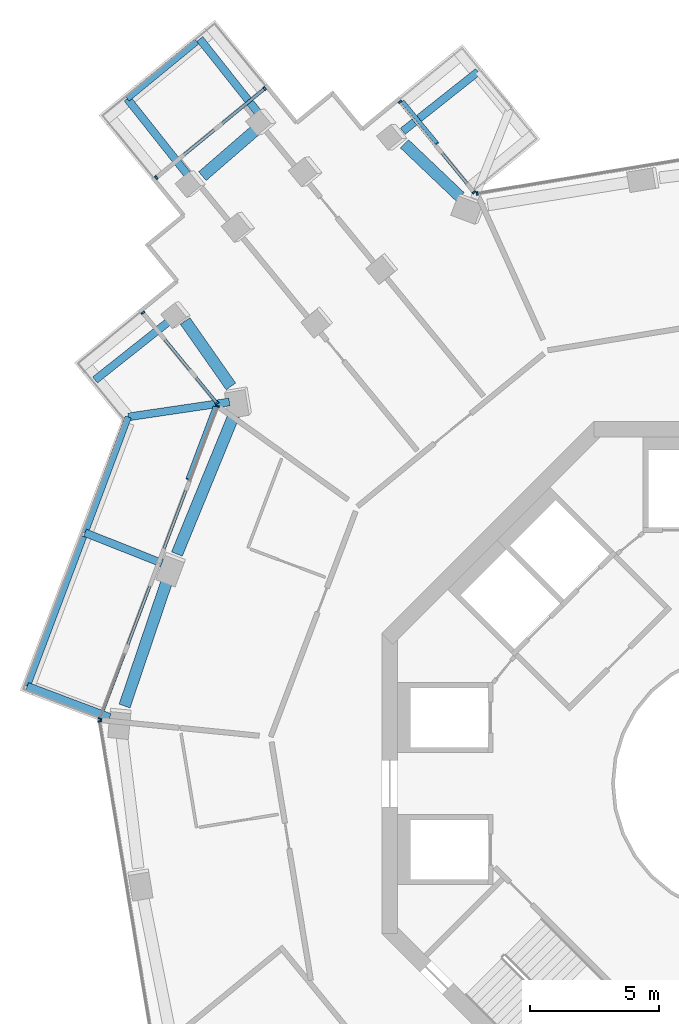
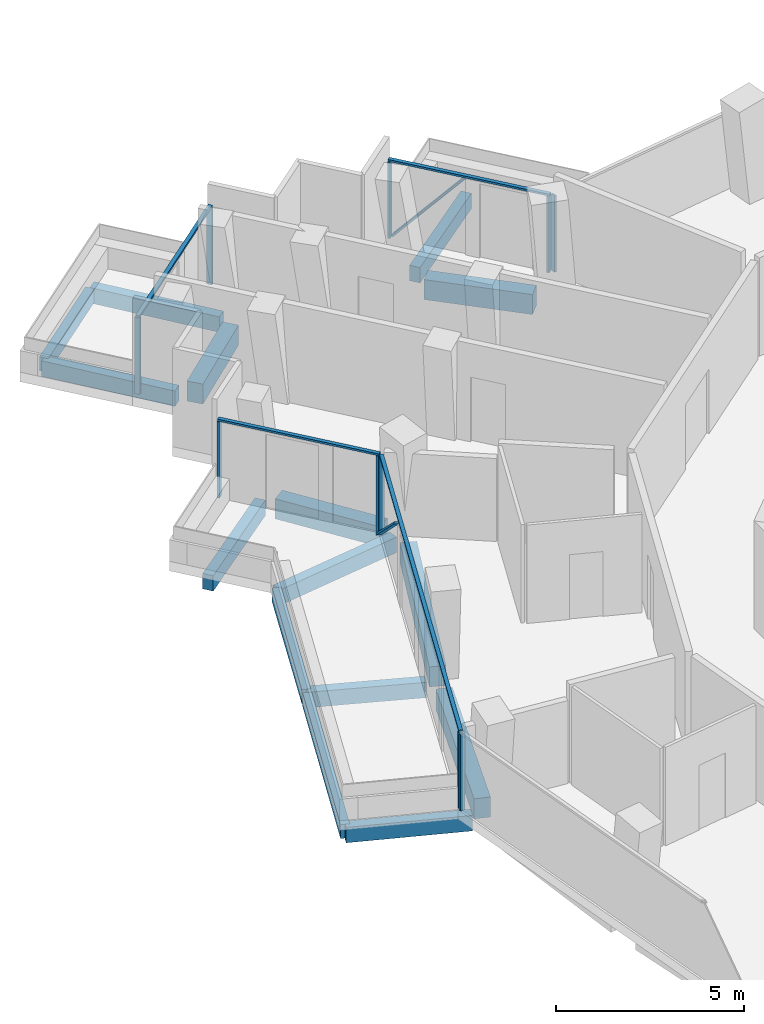
# One storey, part 6 of 21: 16 members, 15 beams, 6 elements without a shape of their own.
"""IFC4 building model written with IfcOpenShell, lengths in metres."""

from ifc_helpers import new_model, si_unit, direction, frame, origin, origin_2d, place, context, subcontext, project, spatial, rectangle, extrude, material, layer, layer_set, material_profile, profile_set, type_object, element, aggregate, save


model = new_model("IFC4")

# Units and contexts
model_context = context("Model", 3, precision=1e-05, world=origin(), true_north=direction((0.0, 1.0)))
body_context = subcontext(model_context, "Body", "Model", "MODEL_VIEW")
ifc_project = project(units=[si_unit("LENGTHUNIT", "METRE"), si_unit("AREAUNIT", "SQUARE_METRE"), si_unit("VOLUMEUNIT", "CUBIC_METRE"), si_unit("PLANEANGLEUNIT", "RADIAN"), si_unit("MASSUNIT", "GRAM", prefix="KILO")], contexts=[model_context])

# Site, building, storey
site_placement = place(None, origin())
site = spatial("IfcSite", under=ifc_project, at=site_placement, CompositionType="ELEMENT")
building_placement = place(site_placement, origin())
building = spatial("IfcBuilding", under=site, at=building_placement, Name="Verdalira Terraces Hotel", CompositionType="ELEMENT")
storey_placement = place(building_placement, frame((0.0, 0.0, 194.0)))
storey = spatial("IfcBuildingStorey", under=building, at=storey_placement, Name="L47", CompositionType="ELEMENT", Elevation=194.0)

# Beams
ifc_material_1 = material(Name="Concrete C40", Category="concrete")
ifc_material_profile_1 = material_profile(ifc_material_1, rectangle(XDim=0.300049, YDim=0.5, at=origin_2d()), Name="RC 300X500")
ifc_profile_set_1 = profile_set([ifc_material_profile_1], Name="Concrete C40")
beam_type_1 = type_object("IfcBeamType", Name="Balcony cantilever beam RC 300X500 C40", PredefinedType="BEAM", material=ifc_profile_set_1)
beam_1_placement = place(storey_placement, frame((-13.191895, 25.214111, -0.560059), z_axis=(0.783698727, 0.621141131, 0.0), x_axis=(-0.621141131, 0.783698727, 0.0)))
element("IfcBeam", 1, at=beam_1_placement, inside=storey, type_object=beam_type_1, Name="Balcony cantilever beam R00-2", PredefinedType="BEAM", context=body_context, shape_type="SweptSolid", body=[
    extrude(rectangle(XDim=0.300049, YDim=0.5, at=origin_2d()), origin(), (0.0, 0.0, 1.0), 3.709717),
])
beam_2_placement = place(storey_placement, frame((-18.739502, 25.877441, -0.560059), z_axis=(-0.621150416, 0.783691368, 0.0), x_axis=(-0.783691368, -0.621150416, 0.0)))
element("IfcBeam", 2, at=beam_2_placement, inside=storey, type_object=beam_type_1, Name="Balcony cantilever beam R05-1", PredefinedType="BEAM", context=body_context, shape_type="SweptSolid", body=[
    extrude(rectangle(XDim=0.300049, YDim=0.5, at=origin_2d()), origin(), (0.0, 0.0, 1.0), 3.702393),
])
beam_3_placement = place(storey_placement, frame((-21.479736, 23.494385, -0.560059), z_axis=(-0.621138121, 0.783701113, 0.0), x_axis=(-0.783701113, -0.621138121, 0.0)))
element("IfcBeam", 3, at=beam_3_placement, inside=storey, type_object=beam_type_1, Name="Balcony cantilever beam R05-2", PredefinedType="BEAM", context=body_context, shape_type="SweptSolid", body=[
    extrude(rectangle(XDim=0.300049, YDim=0.5, at=origin_2d()), origin(), (0.0, 0.0, 1.0), 3.807129),
])
beam_4_placement = place(storey_placement, frame((-19.89502, 14.750488, -0.560059), z_axis=(-0.98927602, -0.146058059, 0.0), x_axis=(0.146058059, -0.98927602, 0.0)))
element("IfcBeam", 4, at=beam_4_placement, inside=storey, type_object=beam_type_1, Name="Balcony cantilever beam R10-1", PredefinedType="BEAM", context=body_context, shape_type="SweptSolid", body=[
    extrude(rectangle(XDim=0.300049, YDim=0.5, at=origin_2d()), origin(), (0.0, 0.0, 1.0), 3.949707),
])
beam_5_placement = place(storey_placement, frame((-22.499023, 8.519287, -0.560059), z_axis=(-0.92975984, 0.368166591, 0.0), x_axis=(-0.368166591, -0.92975984, 0.0)))
element("IfcBeam", 5, at=beam_5_placement, inside=storey, type_object=beam_type_1, Name="Balcony cantilever beam R10-2", PredefinedType="BEAM", context=body_context, shape_type="SweptSolid", body=[
    extrude(rectangle(XDim=0.300049, YDim=0.5, at=origin_2d()), origin(), (0.0, 0.0, 1.0), 3.200928),
])
beam_6_placement = place(storey_placement, frame((-24.519287, 2.564697, -0.560059), z_axis=(-0.93580422, 0.352520157, 0.0), x_axis=(-0.352520157, -0.93580422, 0.0)))
element("IfcBeam", 6, at=beam_6_placement, inside=storey, type_object=beam_type_1, Name="Balcony cantilever beam R10-3", PredefinedType="BEAM", context=body_context, shape_type="SweptSolid", body=[
    extrude(rectangle(XDim=0.300049, YDim=0.5, at=origin_2d()), origin(), (0.0, 0.0, 1.0), 3.408691),
])
beam_7_placement = place(storey_placement, frame((-22.128906, 17.945557, -0.560059), z_axis=(-0.783683455, -0.6211604, 0.0), x_axis=(0.6211604, -0.783683455, 0.0)))
element("IfcBeam", 7, at=beam_7_placement, inside=storey, type_object=beam_type_1, Name="Balcony cantilever beam R10-4", PredefinedType="BEAM", context=body_context, shape_type="SweptSolid", body=[
    extrude(rectangle(XDim=0.300049, YDim=0.5, at=origin_2d()), origin(), (0.0, 0.0, 1.0), 3.771973),
])
ifc_material_2 = material(Name="Concrete C40", Category="concrete")
ifc_material_profile_2 = material_profile(ifc_material_2, rectangle(XDim=0.25, YDim=0.449951, at=origin_2d()), Name="RC 250X450")
ifc_profile_set_2 = profile_set([ifc_material_profile_2], Name="Concrete C40")
beam_type_2 = type_object("IfcBeamType", Name="Balcony edge beam RC 250X450 C40", PredefinedType="BEAM", material=ifc_profile_set_2)
beam_8_placement = place(storey_placement, frame((-21.155273, 28.684082, -0.534912), z_axis=(-0.773140439, -0.634234863, 0.0), x_axis=(0.634234863, -0.773140439, 0.0)))
element("IfcBeam", 8, at=beam_8_placement, inside=storey, type_object=beam_type_2, Name="Balcony edge beam R05-1", PredefinedType="BEAM", context=body_context, shape_type="SweptSolid", body=[
    extrude(rectangle(XDim=0.25, YDim=0.449951, at=origin_2d()), origin(), (0.0, 0.0, 1.0), 3.478271),
])
beam_9_placement = place(storey_placement, frame((-23.80249, 14.173584, -0.534912), z_axis=(-0.350053711, -0.93672963, 0.0), x_axis=(0.93672963, -0.350053711, 0.0)))
element("IfcBeam", 9, at=beam_9_placement, inside=storey, type_object=beam_type_2, Name="Balcony edge beam R10-1", PredefinedType="BEAM", context=body_context, shape_type="SweptSolid", body=[
    extrude(rectangle(XDim=0.25, YDim=0.449951, at=origin_2d()), origin(), (0.0, 0.0, 1.0), 4.778076),
])
beam_10_placement = place(storey_placement, frame((-25.528076, 9.557373, -0.534912), z_axis=(-0.352472041, -0.935822344, 0.0), x_axis=(0.935822344, -0.352472041, 0.0)))
element("IfcBeam", 10, at=beam_10_placement, inside=storey, type_object=beam_type_2, Name="Balcony edge beam R10-2", PredefinedType="BEAM", context=body_context, shape_type="SweptSolid", body=[
    extrude(rectangle(XDim=0.25, YDim=0.449951, at=origin_2d()), origin(), (0.0, 0.0, 1.0), 6.188232),
])

# Curtain wall, members
ifc_material_3 = material(Name="Clear glass", Category="glass")
ifc_layer_1 = layer(ifc_material_3, 0.14990234375)
ifc_layer_set_1 = layer_set([ifc_layer_1], Name="CW1 curtain wall")
curtain_wall_type_1 = type_object("IfcCurtainWallType", Name="CW1 curtain wall", PredefinedType="NOTDEFINED", material=ifc_layer_set_1)
curtain_wall_1_placement = place(storey_placement, origin())
curtain_wall_1 = element("IfcCurtainWall", 11, at=curtain_wall_1_placement, inside=storey, type_object=curtain_wall_type_1, Name="CW1 curtain wall L47 edge 11", PredefinedType="NOTDEFINED")
ifc_material_4 = material(Name="Terracotta frame", Category="masonry")
ifc_material_profile_3 = material_profile(ifc_material_4, rectangle(XDim=0.060059, YDim=0.149902, at=origin_2d()), Name="MU 60x150")
ifc_profile_set_3 = profile_set([ifc_material_profile_3], Name="Terracotta frame")
member_type_1 = type_object("IfcMemberType", Name="CW1 mullion 60x150", PredefinedType="MULLION", material=ifc_profile_set_3)
member_1_placement = place(storey_placement, frame((-20.350342, 14.579102, 0.0), z_axis=(0.0, 0.0, 1.0), x_axis=(-0.352495055, -0.935813676, 0.0)))
member_1 = element("IfcMember", 12, at=member_1_placement, type_object=member_type_1, Name="CW1 mullion", PredefinedType="MULLION", context=body_context, shape_type="SweptSolid", body=[
    extrude(rectangle(XDim=0.060059, YDim=0.149902, at=origin_2d()), origin(), (0.0, 0.0, 1.0), 2.475098),
])
member_2_placement = place(storey_placement, frame((-24.897461, 2.507324, 0.0), z_axis=(0.0, 0.0, 1.0), x_axis=(-0.352495055, -0.935813676, 0.0)))
member_2 = element("IfcMember", 13, at=member_2_placement, type_object=member_type_1, Name="CW1 mullion", PredefinedType="MULLION", context=body_context, shape_type="SweptSolid", body=[
    extrude(rectangle(XDim=0.060059, YDim=0.149902, at=origin_2d()), origin(), (0.0, 0.0, 1.0), 2.475098),
])

# Curtain wall, member
curtain_wall_2_placement = place(storey_placement, origin())
curtain_wall_2 = element("IfcCurtainWall", 14, at=curtain_wall_2_placement, inside=storey, type_object=curtain_wall_type_1, Name="CW1 curtain wall L47 edge 12", PredefinedType="NOTDEFINED")
member_3_placement = place(storey_placement, frame((-24.906982, 2.411133, 0.0), z_axis=(0.0, 0.0, 1.0), x_axis=(0.162637165, -0.986685944, 0.0)))
member_3 = element("IfcMember", 15, at=member_3_placement, type_object=member_type_1, Name="CW1 mullion", PredefinedType="MULLION", context=body_context, shape_type="SweptSolid", body=[
    extrude(rectangle(XDim=0.060059, YDim=0.149902, at=origin_2d()), origin(), (0.0, 0.0, 1.0), 2.475098),
])
aggregate(curtain_wall_2, [member_3])

curtain_wall_3_placement = place(storey_placement, origin())
curtain_wall_3 = element("IfcCurtainWall", 16, at=curtain_wall_3_placement, inside=storey, type_object=curtain_wall_type_1, Name="CW1 curtain wall L47 edge 41", PredefinedType="NOTDEFINED")
member_4_placement = place(storey_placement, frame((-10.316895, 22.809082, 0.0), z_axis=(0.0, 0.0, 1.0), x_axis=(-0.986685944, -0.162637165, 0.0)))
member_4 = element("IfcMember", 17, at=member_4_placement, type_object=member_type_1, Name="CW1 mullion", PredefinedType="MULLION", context=body_context, shape_type="SweptSolid", body=[
    extrude(rectangle(XDim=0.060059, YDim=0.149902, at=origin_2d()), origin(), (0.0, 0.0, 1.0), 2.475098),
])
aggregate(curtain_wall_3, [member_4])

# Member
ifc_material_5 = material(Name="Terracotta frame", Category="masonry")
ifc_material_profile_4 = material_profile(ifc_material_5, rectangle(XDim=0.110107, YDim=0.064941, at=origin_2d()), Name="TR 65x110")
ifc_profile_set_4 = profile_set([ifc_material_profile_4], Name="Terracotta frame")
member_type_2 = type_object("IfcMemberType", Name="CW1 transom 65x110", PredefinedType="USERDEFINED", material=ifc_profile_set_4)
member_5_placement = place(storey_placement, frame((-20.339844, 14.607178, 2.507568), z_axis=(-0.352502127, -0.935811012, 0.0), x_axis=(0.935811012, -0.352502127, 0.0)))
member_5 = element("IfcMember", 18, at=member_5_placement, type_object=member_type_2, Name="CW1 transom", ObjectType="TRANSOM", PredefinedType="USERDEFINED", context=body_context, shape_type="SweptSolid", body=[
    extrude(rectangle(XDim=0.110107, YDim=0.064941, at=origin_2d()), origin(), (0.0, 0.0, 1.0), 12.959717),
])

# Curtain wall, members
ifc_material_6 = material(Name="Clear glass", Category="glass")
ifc_layer_2 = layer(ifc_material_6, 0.14990234375)
ifc_layer_set_2 = layer_set([ifc_layer_2], Name="CW2 curtain wall")
curtain_wall_type_2 = type_object("IfcCurtainWallType", Name="CW2 curtain wall", PredefinedType="NOTDEFINED", material=ifc_layer_set_2)
curtain_wall_4_placement = place(storey_placement, origin())
curtain_wall_4 = element("IfcCurtainWall", 19, at=curtain_wall_4_placement, inside=storey, type_object=curtain_wall_type_2, Name="CW2 curtain wall L47 edge 0", PredefinedType="NOTDEFINED")
ifc_material_7 = material(Name="Terracotta frame", Category="masonry")
ifc_material_profile_5 = material_profile(ifc_material_7, rectangle(XDim=0.070068, YDim=0.149902, at=origin_2d()), Name="MU 70x150")
ifc_profile_set_5 = profile_set([ifc_material_profile_5], Name="Terracotta frame")
member_type_3 = type_object("IfcMemberType", Name="CW2 mullion 70x150", PredefinedType="MULLION", material=ifc_profile_set_5)
member_6_placement = place(storey_placement, frame((-10.438965, 22.857666, 0.0), z_axis=(0.0, 0.0, 1.0), x_axis=(-0.634190889, 0.773176511, 0.0)))
member_6 = element("IfcMember", 20, at=member_6_placement, type_object=member_type_3, Name="CW2 mullion", PredefinedType="MULLION", context=body_context, shape_type="SweptSolid", body=[
    extrude(rectangle(XDim=0.070068, YDim=0.149902, at=origin_2d()), origin(), (0.0, 0.0, 1.0), 2.475098),
])
member_7_placement = place(storey_placement, frame((-13.302979, 26.349365, 0.0), z_axis=(0.0, 0.0, 1.0), x_axis=(-0.634190889, 0.773176511, 0.0)))
member_7 = element("IfcMember", 21, at=member_7_placement, type_object=member_type_3, Name="CW2 mullion", PredefinedType="MULLION", context=body_context, shape_type="SweptSolid", body=[
    extrude(rectangle(XDim=0.070068, YDim=0.149902, at=origin_2d()), origin(), (0.0, 0.0, 1.0), 2.475098),
])

curtain_wall_5_placement = place(storey_placement, origin())
curtain_wall_5 = element("IfcCurtainWall", 22, at=curtain_wall_5_placement, inside=storey, type_object=curtain_wall_type_2, Name="CW2 curtain wall L47 edge 10", PredefinedType="NOTDEFINED")
member_8_placement = place(storey_placement, frame((-23.238281, 18.199951, 0.0), z_axis=(0.0, 0.0, 1.0), x_axis=(0.634190889, -0.773176511, 0.0)))
member_8 = element("IfcMember", 23, at=member_8_placement, type_object=member_type_3, Name="CW2 mullion", PredefinedType="MULLION", context=body_context, shape_type="SweptSolid", body=[
    extrude(rectangle(XDim=0.070068, YDim=0.149902, at=origin_2d()), origin(), (0.0, 0.0, 1.0), 2.475098),
])
member_9_placement = place(storey_placement, frame((-20.374268, 14.708252, 0.0), z_axis=(0.0, 0.0, 1.0), x_axis=(0.634190889, -0.773176511, 0.0)))
member_9 = element("IfcMember", 24, at=member_9_placement, type_object=member_type_3, Name="CW2 mullion", PredefinedType="MULLION", context=body_context, shape_type="SweptSolid", body=[
    extrude(rectangle(XDim=0.070068, YDim=0.149902, at=origin_2d()), origin(), (0.0, 0.0, 1.0), 2.475098),
])

# Member
ifc_material_8 = material(Name="Terracotta frame", Category="masonry")
ifc_material_profile_6 = material_profile(ifc_material_8, rectangle(XDim=0.11499, YDim=0.064941, at=origin_2d()), Name="TR 65x115")
ifc_profile_set_6 = profile_set([ifc_material_profile_6], Name="Terracotta frame")
member_type_4 = type_object("IfcMemberType", Name="CW2 transom 65x115", PredefinedType="USERDEFINED", material=ifc_profile_set_6)
member_10_placement = place(storey_placement, frame((-10.416748, 22.830566, 2.507568), z_axis=(-0.634179541, 0.773185819, 0.0), x_axis=(-0.773185819, -0.634179541, 0.0)))
member_10 = element("IfcMember", 25, at=member_10_placement, type_object=member_type_4, Name="CW2 transom", ObjectType="TRANSOM", PredefinedType="USERDEFINED", context=body_context, shape_type="SweptSolid", body=[
    extrude(rectangle(XDim=0.11499, YDim=0.064941, at=origin_2d()), origin(), (0.0, 0.0, 1.0), 4.585693),
])

member_11_placement = place(storey_placement, frame((-23.260498, 18.227051, 2.507568), z_axis=(0.634211366, -0.773159714, 0.0), x_axis=(0.773159714, 0.634211366, 0.0)))
member_11 = element("IfcMember", 26, at=member_11_placement, type_object=member_type_4, Name="CW2 transom", ObjectType="TRANSOM", PredefinedType="USERDEFINED", context=body_context, shape_type="SweptSolid", body=[
    extrude(rectangle(XDim=0.11499, YDim=0.064941, at=origin_2d()), origin(), (0.0, 0.0, 1.0), 4.585938),
])

aggregate(curtain_wall_5, [member_8, member_9, member_11])

# Curtain wall, members
ifc_material_9 = material(Name="Clear glass", Category="glass")
ifc_layer_3 = layer(ifc_material_9, 0.14990234375)
ifc_layer_set_3 = layer_set([ifc_layer_3], Name="CW3 curtain wall")
curtain_wall_type_3 = type_object("IfcCurtainWallType", Name="CW3 curtain wall", PredefinedType="NOTDEFINED", material=ifc_layer_set_3)
curtain_wall_6_placement = place(storey_placement, origin())
curtain_wall_6 = element("IfcCurtainWall", 27, at=curtain_wall_6_placement, inside=storey, type_object=curtain_wall_type_3, Name="CW3 curtain wall L47 edge 5", PredefinedType="NOTDEFINED")
ifc_material_10 = material(Name="Terracotta frame", Category="masonry")
ifc_material_profile_7 = material_profile(ifc_material_10, rectangle(XDim=0.080078, YDim=0.149902, at=origin_2d()), Name="MU 80x150")
ifc_profile_set_7 = profile_set([ifc_material_profile_7], Name="Terracotta frame")
member_type_5 = type_object("IfcMemberType", Name="CW3 mullion 80x150", PredefinedType="MULLION", material=ifc_profile_set_7)
member_12_placement = place(storey_placement, frame((-18.528076, 26.861816, 0.0), z_axis=(0.0, 0.0, 1.0), x_axis=(-0.773176511, -0.634190889, 0.0)))
member_12 = element("IfcMember", 28, at=member_12_placement, type_object=member_type_5, Name="CW3 mullion", PredefinedType="MULLION", context=body_context, shape_type="SweptSolid", body=[
    extrude(rectangle(XDim=0.080078, YDim=0.149902, at=origin_2d()), origin(), (0.0, 0.0, 1.0), 2.475098),
])
member_13_placement = place(storey_placement, frame((-22.71875, 23.424316, 0.0), z_axis=(0.0, 0.0, 1.0), x_axis=(-0.773176511, -0.634190889, 0.0)))
member_13 = element("IfcMember", 29, at=member_13_placement, type_object=member_type_5, Name="CW3 mullion", PredefinedType="MULLION", context=body_context, shape_type="SweptSolid", body=[
    extrude(rectangle(XDim=0.080078, YDim=0.149902, at=origin_2d()), origin(), (0.0, 0.0, 1.0), 2.475098),
])
ifc_material_11 = material(Name="Terracotta frame", Category="masonry")
ifc_material_profile_8 = material_profile(ifc_material_11, rectangle(XDim=0.120117, YDim=0.064941, at=origin_2d()), Name="TR 65x120")
ifc_profile_set_8 = profile_set([ifc_material_profile_8], Name="Terracotta frame")
member_type_6 = type_object("IfcMemberType", Name="CW3 transom 65x120", PredefinedType="USERDEFINED", material=ifc_profile_set_8)
member_14_placement = place(storey_placement, frame((-18.49707, 26.887207, 2.507568), z_axis=(-0.773153734, -0.634218656, 0.0), x_axis=(0.634218656, -0.773153734, 0.0)))
member_14 = element("IfcMember", 30, at=member_14_placement, type_object=member_type_6, Name="CW3 transom", ObjectType="TRANSOM", PredefinedType="USERDEFINED", context=body_context, shape_type="SweptSolid", body=[
    extrude(rectangle(XDim=0.120117, YDim=0.064941, at=origin_2d()), origin(), (0.0, 0.0, 1.0), 5.500244),
])
aggregate(curtain_wall_6, [member_12, member_13, member_14])

# Member
ifc_material_12 = material(Name="Terracotta frame", Category="masonry")
ifc_material_profile_9 = material_profile(ifc_material_12, rectangle(XDim=0.149902, YDim=0.060059, at=origin_2d()), Name="GB 60x150")
ifc_profile_set_9 = profile_set([ifc_material_profile_9], Name="Terracotta frame")
member_type_7 = type_object("IfcMemberType", Name="Diagonal glazing bar 60x150", PredefinedType="USERDEFINED", material=ifc_profile_set_9)
member_15_placement = place(storey_placement, frame((-11.866943, 24.742188, 2.447266), z_axis=(-0.415055452, 0.506001426, -0.756102855), x_axis=(-0.773167177, -0.634202268, 0.0)))
member_15 = element("IfcMember", 31, at=member_15_placement, type_object=member_type_7, Name="Diagonal glazing bar", ObjectType="GLAZING BAR", PredefinedType="USERDEFINED", context=body_context, shape_type="SweptSolid", body=[
    extrude(rectangle(XDim=0.149902, YDim=0.060059, at=origin_2d()), origin(), (0.0, 0.0, 1.0), 3.199951),
])

aggregate(curtain_wall_4, [member_6, member_7, member_10, member_15])

member_16_placement = place(storey_placement, frame((-20.454834, 14.554443, 0.024414), z_axis=(-0.273394125, -0.725704787, 0.63135427), x_axis=(0.935796124, -0.35254165, 0.0)))
member_16 = element("IfcMember", 32, at=member_16_placement, type_object=member_type_7, Name="Diagonal glazing bar", ObjectType="GLAZING BAR", PredefinedType="USERDEFINED", context=body_context, shape_type="SweptSolid", body=[
    extrude(rectangle(XDim=0.149902, YDim=0.060059, at=origin_2d()), origin(), (0.0, 0.0, 1.0), 3.842529),
])

aggregate(curtain_wall_1, [member_1, member_2, member_5, member_16])

# Beams
ifc_material_13 = material(Name="Concrete C50", Category="concrete")
ifc_material_profile_10 = material_profile(ifc_material_13, rectangle(XDim=0.449951, YDim=0.649902, at=origin_2d()), Name="RC 450X650")
ifc_profile_set_10 = profile_set([ifc_material_profile_10], Name="Concrete C50")
beam_type_3 = type_object("IfcBeamType", Name="Spandrel beam RC 450X650 C50", PredefinedType="SPANDREL", material=ifc_profile_set_10)
beam_11_placement = place(storey_placement, frame((-10.979492, 22.684326, -0.63501), z_axis=(-0.724378613, 0.689402368, 0.0), x_axis=(-0.689402368, -0.724378613, 0.0)))
element("IfcBeam", 33, at=beam_11_placement, inside=storey, type_object=beam_type_3, Name="Spandrel beam B01", PredefinedType="SPANDREL", context=body_context, shape_type="SweptSolid", body=[
    extrude(rectangle(XDim=0.449951, YDim=0.649902, at=origin_2d()), origin(), (0.0, 0.0, 1.0), 2.966553),
])
beam_12_placement = place(storey_placement, frame((-18.745605, 25.377197, -0.63501), z_axis=(-0.755633552, -0.654994607, 0.0), x_axis=(0.654994607, -0.755633552, 0.0)))
element("IfcBeam", 34, at=beam_12_placement, inside=storey, type_object=beam_type_3, Name="Spandrel beam B02", PredefinedType="SPANDREL", context=body_context, shape_type="SweptSolid", body=[
    extrude(rectangle(XDim=0.449951, YDim=0.649902, at=origin_2d()), origin(), (0.0, 0.0, 1.0), 2.901367),
])
beam_13_placement = place(storey_placement, frame((-21.601807, 17.87793, -0.63501), z_axis=(0.573223103, -0.819399337, 0.0), x_axis=(0.819399337, 0.573223103, 0.0)))
element("IfcBeam", 35, at=beam_13_placement, inside=storey, type_object=beam_type_3, Name="Spandrel beam B03", PredefinedType="SPANDREL", context=body_context, shape_type="SweptSolid", body=[
    extrude(rectangle(XDim=0.449951, YDim=0.649902, at=origin_2d()), origin(), (0.0, 0.0, 1.0), 3.082275),
])
beam_14_placement = place(storey_placement, frame((-19.716553, 14.252441, -0.63501), z_axis=(-0.379420868, -0.925224192, 0.0), x_axis=(0.925224192, -0.379420868, 0.0)))
element("IfcBeam", 36, at=beam_14_placement, inside=storey, type_object=beam_type_3, Name="Spandrel beam B04", PredefinedType="SPANDREL", context=body_context, shape_type="SweptSolid", body=[
    extrude(rectangle(XDim=0.449951, YDim=0.649902, at=origin_2d()), origin(), (0.0, 0.0, 1.0), 5.813721),
])
beam_15_placement = place(storey_placement, frame((-22.280518, 7.914551, -0.63501), z_axis=(-0.320895523, -0.947114599, 0.0), x_axis=(0.947114599, -0.320895523, 0.0)))
element("IfcBeam", 37, at=beam_15_placement, inside=storey, type_object=beam_type_3, Name="Spandrel beam B05", PredefinedType="SPANDREL", context=body_context, shape_type="SweptSolid", body=[
    extrude(rectangle(XDim=0.449951, YDim=0.649902, at=origin_2d()), origin(), (0.0, 0.0, 1.0), 5.189453),
])

save(model, "model.ifc")
